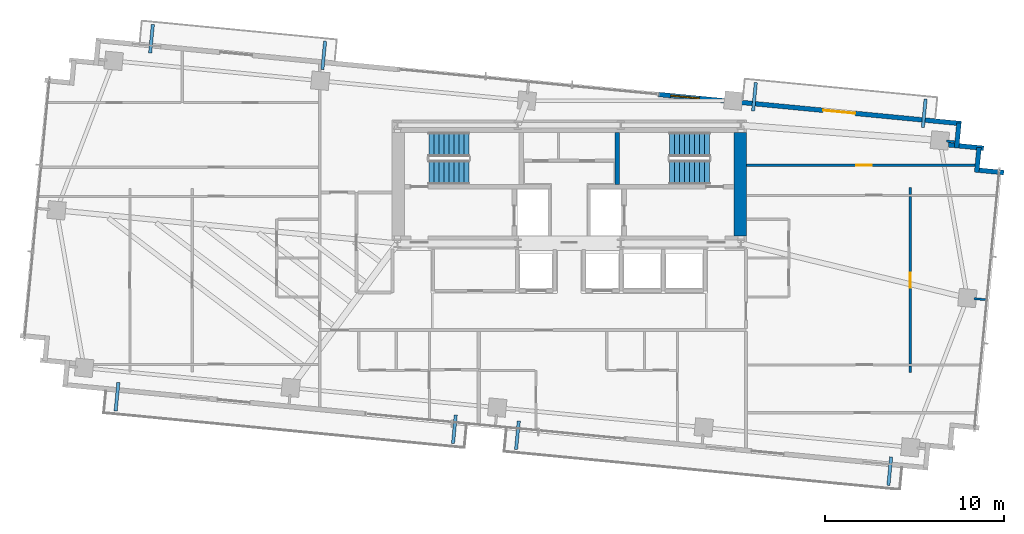
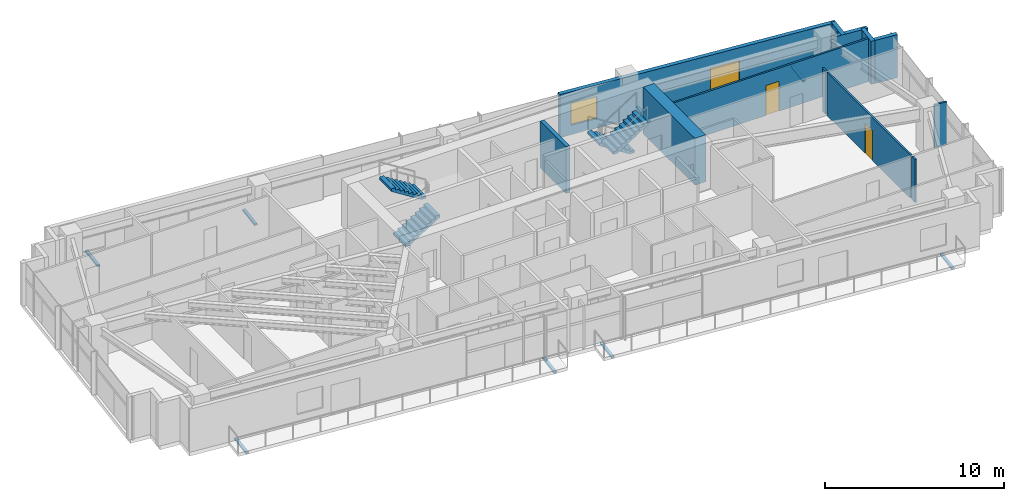
# One storey, part 18 of 20: 13 walls, 8 discrete accessories, 4 stair flights, 3 doors, 1 window, 4 openings, 2 elements without a shape of their own.
"""IFC4 building model written with IfcOpenShell, lengths in metres."""

import ifcopenshell
import ifcopenshell.guid

model = None  # the IFC model being written
_history = None  # IfcOwnerHistory: only IFC2X3 demands one
_inside = {}  # id of a spatial element -> (the spatial element, [elements in it])
_under = {}  # id of a project, library or spatial element -> (it, [spatial elements below it])
_declared = {}  # id of a project -> (the project, [libraries it declares])
_typed = {}  # id of a type object -> (the type object, [elements of that type])
_made_of = {}  # id of a material, layer set ... -> (it, [elements and type objects made of it])


def new_model(schema):
    """Start an empty IFC model of exactly this schema.

    Asked for "IFC4X3", IfcOpenShell would pick the latest addendum, in which some entities
    have other attributes; the version numbers below select the first issue.
    IFC2X3 requires an IfcOwnerHistory on every rooted entity: one is made here for all.
    """
    global model, _history
    if schema == "IFC4X3":
        model = ifcopenshell.file(schema_version=(4, 3, 0, 0))
    else:
        model = ifcopenshell.file(schema=schema)
    _inside.clear()
    _under.clear()
    _declared.clear()
    _typed.clear()
    _made_of.clear()
    _history = None
    if model.schema == "IFC2X3":
        org = make("IfcOrganization", Name="unknown")
        user = make(
            "IfcPersonAndOrganization",
            ThePerson=make("IfcPerson", FamilyName="unknown"),
            TheOrganization=org,
        )
        app = make(
            "IfcApplication",
            ApplicationDeveloper=org,
            Version="unknown",
            ApplicationFullName="unknown",
            ApplicationIdentifier="unknown",
        )
        _history = make(
            "IfcOwnerHistory",
            OwningUser=user,
            OwningApplication=app,
            ChangeAction="ADDED",
            CreationDate=0,
        )
    return model


def make(cls, **values):
    """One entity of the class cls with the attributes given. An attribute that is None is left unset."""
    return model.create_entity(
        cls, **{name: value for name, value in values.items() if value is not None}
    )


def rooted(cls, **values):
    """An entity with a GlobalId (a new one), such as an element, a storey or a relation."""
    return make(cls, GlobalId=ifcopenshell.guid.new(), OwnerHistory=_history, **values)


def si_unit(unit_type, name, prefix=None):
    """IfcSIUnit, for example si_unit("LENGTHUNIT", "METRE", prefix="MILLI")."""
    return make("IfcSIUnit", UnitType=unit_type, Prefix=prefix, Name=name)


def assignment(units):
    """IfcUnitAssignment: the units of a project."""
    return None if units is None else make("IfcUnitAssignment", Units=units)


def point(xyz):
    """IfcCartesianPoint."""
    return None if xyz is None else make("IfcCartesianPoint", Coordinates=xyz)


def direction(xyz):
    """IfcDirection."""
    return None if xyz is None else make("IfcDirection", DirectionRatios=xyz)


def frame(location, z_axis=None, x_axis=None):
    """IfcAxis2Placement3D, a coordinate frame: its origin and axes. An axis left out is left unset."""
    return make(
        "IfcAxis2Placement3D",
        Location=point(location),
        Axis=direction(z_axis),
        RefDirection=direction(x_axis),
    )


def frame_2d(location, x_axis=None):
    """IfcAxis2Placement2D, a coordinate frame in the plane: its origin and x axis."""
    return make(
        "IfcAxis2Placement2D", Location=point(location), RefDirection=direction(x_axis)
    )


def origin():
    """The frame at (0, 0, 0) with its axes left unset."""
    return frame((0.0, 0.0, 0.0))


def origin_2d():
    """The frame at (0, 0) in the plane with its x axis left unset."""
    return frame_2d((0.0, 0.0))


def place(relative_to, where):
    """IfcLocalPlacement: puts the frame where relative to a parent placement (None: the world)."""
    return make(
        "IfcLocalPlacement", PlacementRelTo=relative_to, RelativePlacement=where
    )


def context(
    kind, dimensions, precision=None, world=None, true_north=None, identifier=None
):
    """IfcGeometricRepresentationContext, for example the 3D "Model" context."""
    return make(
        "IfcGeometricRepresentationContext",
        ContextIdentifier=identifier,
        ContextType=kind,
        CoordinateSpaceDimension=dimensions,
        Precision=precision,
        WorldCoordinateSystem=world,
        TrueNorth=true_north,
    )


def subcontext(parent, identifier, kind, view, scale=None):
    """IfcGeometricRepresentationSubContext, for example "Body" below "Model"."""
    return make(
        "IfcGeometricRepresentationSubContext",
        ContextIdentifier=identifier,
        ContextType=kind,
        ParentContext=parent,
        TargetScale=scale,
        TargetView=view,
    )


def project(units=None, contexts=None):
    """IfcProject with its units and contexts."""
    return rooted(
        "IfcProject",
        Name="project",
        RepresentationContexts=contexts,
        UnitsInContext=assignment(units),
    )


def spatial(cls, under=None, at=None, **own):
    """A site, building, storey or space (cls), placed at a placement, below another one or the project."""
    s = rooted(cls, ObjectPlacement=at, **own)
    if under is not None:
        _under.setdefault(under.id(), (under, []))[1].append(s)
    return s


def polyline(points):
    """IfcPolyline through the points."""
    return make("IfcPolyline", Points=[point(p) for p in points])


def profile(cls, at=None, kind="AREA", **sizes):
    """A parametric profile (cls). Its sizes go by their IFC names, for example OverallWidth=200.0."""
    return make(cls, ProfileType=kind, Position=at, **sizes)


def rectangle(**sizes):
    """IfcRectangleProfileDef."""
    return profile("IfcRectangleProfileDef", **sizes)


def outline(outer, holes=None, kind="AREA"):
    """IfcArbitraryClosedProfileDef: a profile drawn as a closed curve; with holes, ...WithVoids."""
    if holes is None:
        return make("IfcArbitraryClosedProfileDef", ProfileType=kind, OuterCurve=outer)
    return make(
        "IfcArbitraryProfileDefWithVoids",
        ProfileType=kind,
        OuterCurve=outer,
        InnerCurves=holes,
    )


def extrude(swept, where, along, depth):
    """IfcExtrudedAreaSolid: the profile swept, set in the frame where, extruded along a direction by depth."""
    return make(
        "IfcExtrudedAreaSolid",
        SweptArea=swept,
        Position=where,
        ExtrudedDirection=direction(along),
        Depth=depth,
    )


def shape(context_of_items, identifier, shape_type, items):
    """IfcShapeRepresentation: the items that make up one representation, for example the "Body"."""
    return make(
        "IfcShapeRepresentation",
        ContextOfItems=context_of_items,
        RepresentationIdentifier=identifier,
        RepresentationType=shape_type,
        Items=items,
    )


def source(mapping_origin, context_of_items, identifier, shape_type, items):
    """IfcRepresentationMap: a shape defined once, which mapped items show again and again."""
    return make(
        "IfcRepresentationMap",
        MappingOrigin=mapping_origin,
        MappedRepresentation=shape(context_of_items, identifier, shape_type, items),
    )


def transform(
    local_origin,
    x_axis=None,
    y_axis=None,
    z_axis=None,
    scale=None,
    scale2=None,
    scale3=None,
    uniform=True,
):
    """IfcCartesianTransformationOperator3D, or its non-uniform kind. x_axis, y_axis, z_axis: its Axis1, 2, 3."""
    if uniform:
        return make(
            "IfcCartesianTransformationOperator3D",
            Axis1=direction(x_axis),
            Axis2=direction(y_axis),
            LocalOrigin=point(local_origin),
            Scale=scale,
            Axis3=direction(z_axis),
        )
    return make(
        "IfcCartesianTransformationOperator3DnonUniform",
        Axis1=direction(x_axis),
        Axis2=direction(y_axis),
        LocalOrigin=point(local_origin),
        Scale=scale,
        Axis3=direction(z_axis),
        Scale2=scale2,
        Scale3=scale3,
    )


def mapped(mapping_source, mapping_target):
    """IfcMappedItem: shows the shape of a source again, moved by a transform."""
    return make(
        "IfcMappedItem", MappingSource=mapping_source, MappingTarget=mapping_target
    )


def material(Name=None, Category=None):
    """IfcMaterial."""
    return make("IfcMaterial", Name=Name, Category=Category)


def layer(
    of_material, thickness, ventilated=None, Name=None, Category=None, Priority=None
):
    """IfcMaterialLayer: one layer of a wall or slab, of a material (None: an air gap)."""
    return make(
        "IfcMaterialLayer",
        Material=of_material,
        LayerThickness=thickness,
        IsVentilated=ventilated,
        Name=Name,
        Category=Category,
        Priority=Priority,
    )


def layer_set(layers, Name=None):
    """IfcMaterialLayerSet."""
    return make("IfcMaterialLayerSet", MaterialLayers=layers, LayerSetName=Name)


def made_of(thing, what):
    """Note that an element or type object is made of a material, layer set ...; save() writes the relation."""
    if what is not None:
        _made_of.setdefault(what.id(), (what, []))[1].append(thing)
    return thing


def type_object(cls, material=None, **own):
    """A type object (cls), such as IfcWallType, which elements share."""
    return made_of(rooted(cls, **own), material)


def type_shapes(of_type, sources):
    """Give a type object the sources (RepresentationMaps) that its elements show as mapped items."""
    of_type.RepresentationMaps = sources


def element(
    cls,
    number,
    at=None,
    inside=None,
    cuts=None,
    type_object=None,
    material=None,
    context=None,
    identifier="Body",
    shape_type=None,
    held_by="IfcProductDefinitionShape",
    body=None,
    shapes=None,
    **own,
):
    """One element of the class cls, such as IfcWall. Its Tag is "e" and its number.

    at: its placement. inside: the storey or other place that contains it. cuts: it is an
    opening in that element (IfcRelVoidsElement). A single representation is given by context,
    identifier, shape_type and body (its items); several are given by shapes. held_by: the class
    of the entity that holds the representations. save() writes the other relations.
    """
    e = rooted(cls, Tag="e%d" % number, ObjectPlacement=at, **own)
    if body is not None:
        shapes = [shape(context, identifier, shape_type, body)]
    if shapes is not None:
        e.Representation = make(held_by, Representations=shapes)
    if inside is not None:
        _inside.setdefault(inside.id(), (inside, []))[1].append(e)
    if cuts is not None:
        rooted(
            "IfcRelVoidsElement", RelatingBuildingElement=cuts, RelatedOpeningElement=e
        )
    if type_object is not None:
        _typed.setdefault(type_object.id(), (type_object, []))[1].append(e)
    return made_of(e, material)


def fill(opening, filler):
    """IfcRelFillsElement: the door or window that sits in an opening."""
    return rooted(
        "IfcRelFillsElement",
        RelatingOpeningElement=opening,
        RelatedBuildingElement=filler,
    )


def aggregate(whole, parts):
    """IfcRelAggregates: a whole, such as a stair, and the parts it consists of."""
    return rooted("IfcRelAggregates", RelatingObject=whole, RelatedObjects=parts)


def save(model, path):
    """Write the relations noted so far, then the file.

    IfcRelAggregates (storeys below a building ...), IfcRelContainedInSpatialStructure (elements
    in a storey), IfcRelDefinesByType, IfcRelAssociatesMaterial and IfcRelDeclares: one each for
    every whole, place, type object, material and project.
    """
    for whole, parts in _under.values():
        aggregate(whole, parts)
    for where, things in _inside.values():
        rooted(
            "IfcRelContainedInSpatialStructure",
            RelatedElements=things,
            RelatingStructure=where,
        )
    for kind, things in _typed.values():
        rooted("IfcRelDefinesByType", RelatedObjects=things, RelatingType=kind)
    for what, things in _made_of.values():
        rooted("IfcRelAssociatesMaterial", RelatedObjects=things, RelatingMaterial=what)
    for by, libraries in _declared.values():
        rooted("IfcRelDeclares", RelatingContext=by, RelatedDefinitions=libraries)
    model.write(path)


model = new_model("IFC4")

# Units and contexts
model_context = context("Model", 3, precision=1e-05, world=origin(), true_north=direction((0.0, 1.0)))
body_context = subcontext(model_context, "Body", "Model", "MODEL_VIEW")
ifc_project = project(units=[si_unit("LENGTHUNIT", "METRE"), si_unit("AREAUNIT", "SQUARE_METRE"), si_unit("VOLUMEUNIT", "CUBIC_METRE"), si_unit("PLANEANGLEUNIT", "RADIAN"), si_unit("MASSUNIT", "GRAM", prefix="KILO")], contexts=[model_context])

# Site, building, storey
site_placement = place(None, origin())
site = spatial("IfcSite", under=ifc_project, at=site_placement, CompositionType="ELEMENT")
building_placement = place(site_placement, origin())
building = spatial("IfcBuilding", under=site, at=building_placement, Name="Astriad Promenade Condominiums", CompositionType="ELEMENT")
storey_placement = place(building_placement, frame((0.0, 0.0, 127.800048828125)))
storey = spatial("IfcBuildingStorey", under=building, at=storey_placement, Name="L36", CompositionType="ELEMENT", Elevation=127.800048828125)

# Walls
ifc_material_1 = material(Name="Concrete C60/75", Category="concrete")
ifc_layer_1 = layer(ifc_material_1, 0.699951171875)
ifc_layer_set_1 = layer_set([ifc_layer_1], Name="Concrete C60/75")
wall_type_1 = type_object("IfcWallType", Name="CW-SHEAR-700", PredefinedType="SHEAR", material=ifc_layer_set_1)
wall_1_placement = place(storey_placement, frame((45.550048828125, 17.802001953125, 0.0), z_axis=(0.0, 0.0, 1.0), x_axis=(0.0, 1.0, 0.0)))
element("IfcWall", 1, at=wall_1_placement, inside=storey, type_object=wall_type_1, Name="CW-CORE-E-L36", PredefinedType="SHEAR", context=body_context, shape_type="SweptSolid", body=[
    extrude(rectangle(XDim=5.7958984375, YDim=0.699951171875, at=frame_2d((2.89794921875, 0.0))), origin(), (0.0, 0.0, 1.0), 3.199951171875),
])
ifc_material_2 = material(Name="Concrete C50/60", Category="concrete")
ifc_layer_2 = layer(ifc_material_2, 0.25)
ifc_layer_set_2 = layer_set([ifc_layer_2], Name="Concrete C50/60")
wall_type_2 = type_object("IfcWallType", Name="WALL-CORE-INT-250", PredefinedType="SOLIDWALL", material=ifc_layer_set_2)
wall_2_placement = place(storey_placement, frame((38.675048828125, 20.701904296875, 0.0), z_axis=(0.0, 0.0, 1.0), x_axis=(0.0, 1.0, 0.0)))
element("IfcWall", 2, at=wall_2_placement, inside=storey, type_object=wall_type_2, Name="CW-ST2-W-L36", PredefinedType="SOLIDWALL", context=body_context, shape_type="SweptSolid", body=[
    extrude(rectangle(XDim=2.89599609375, YDim=0.25, at=frame_2d((1.447998046875, 0.0))), origin(), (0.0, 0.0, 1.0), 3.199951171875),
])

# Wall, openings, door, window
ifc_material_3 = material(Name="Precast concrete C50/60", Category="concrete")
ifc_layer_3 = layer(ifc_material_3, 0.260009765625)
ifc_layer_set_3 = layer_set([ifc_layer_3], Name="Precast concrete C50/60")
wall_type_3 = type_object("IfcWallType", Name="WALL-EXT-TWR-260", PredefinedType="STANDARD", material=ifc_layer_set_3)
wall_3_placement = place(storey_placement, frame((40.9833984375, 25.726806640625, 0.0), z_axis=(0.0, 0.0, 1.0), x_axis=(0.995395844771, -0.095849424686, 0.0)))
wall_3 = element("IfcWall", 3, at=wall_3_placement, inside=storey, type_object=wall_type_3, Name="W-EXT-L36-N2", PredefinedType="STANDARD", context=body_context, shape_type="SweptSolid", body=[
    extrude(rectangle(XDim=17.009765625, YDim=0.260009765625, at=frame_2d((8.5048828125, 0.0))), origin(), (0.0, 0.0, 1.0), 2.93994140625),
])
opening_1_placement = place(wall_3_placement, frame((9.25, 0.0, 0.0)))
opening_1 = element("IfcOpeningElement", 4, at=opening_1_placement, cuts=wall_3, Name="Opening BD-1822-SLD", PredefinedType="OPENING", context=body_context, shape_type="SweptSolid", body=[
    extrude(rectangle(XDim=1.800048828125, YDim=2.06005859375, at=frame_2d((0.89990234375, 1.030029296875))), frame((0.0, 0.139892578125, 0.0), z_axis=(0.0, -1.0, 0.0), x_axis=(1.0, 0.0, 0.0)), (0.0, 0.0, 1.0), 0.280029296875),
])
opening_2_placement = place(wall_3_placement, frame((0.699951171875, 0.0, 0.64990234375)))
opening_2 = element("IfcOpeningElement", 5, at=opening_2_placement, cuts=wall_3, Name="Opening WIN-TWR-1620", PredefinedType="OPENING", context=body_context, shape_type="SweptSolid", body=[
    extrude(rectangle(XDim=1.60009765625, YDim=1.5, at=frame_2d((0.800048828125, 0.75))), frame((0.0, 0.139892578125, 0.0), z_axis=(0.0, -1.0, 0.0), x_axis=(1.0, 0.0, 0.0)), (0.0, 0.0, 1.0), 0.280029296875),
])
ifc_material_4 = material(Name="Thermally Broken Aluminium Sliding Balcony Door", Category="aluminium")
door_type_1 = type_object("IfcDoorType", Name="BD-1822-SLD", OperationType="NOTDEFINED", PredefinedType="DOOR", material=ifc_material_4)
shared_shape_1 = source(origin(), body_context, "Body", "SweptSolid", [
    extrude(rectangle(XDim=1.800048828125, YDim=2.06005859375, at=frame_2d((0.89990234375, 1.030029296875))), frame((0.0, 0.02490234375, 0.0), z_axis=(0.0, -1.0, 0.0), x_axis=(1.0, 0.0, 0.0)), (0.0, 0.0, 1.0), 0.050048828125),
])
type_shapes(door_type_1, [shared_shape_1])
door_1_placement = place(opening_1_placement, origin())
door_1 = element("IfcDoor", 6, at=door_1_placement, inside=storey, type_object=door_type_1, Name="BD-L36-NE", OperationType="SLIDING_TO_RIGHT", OverallHeight=2.06005859375, OverallWidth=1.800048828125, PredefinedType="DOOR", context=body_context, shape_type="MappedRepresentation", body=[
    mapped(shared_shape_1, transform((0.0, 0.0, 0.0), scale=1.0)),
])
fill(opening_1, door_1)
ifc_material_5 = material(Name="Dark Tinted Triple-Glazed Aluminium Window", Category="aluminium")
window_type = type_object("IfcWindowType", Name="WIN-TWR-1620", PartitioningType="SINGLE_PANEL", PredefinedType="WINDOW", material=ifc_material_5)
shared_shape_2 = source(origin(), body_context, "Body", "SweptSolid", [
    extrude(rectangle(XDim=1.60009765625, YDim=1.5, at=frame_2d((0.800048828125, 0.75))), frame((0.0, 0.030029296875, 0.0), z_axis=(0.0, -1.0, 0.0), x_axis=(1.0, 0.0, 0.0)), (0.0, 0.0, 1.0), 0.06005859375),
])
type_shapes(window_type, [shared_shape_2])
window_placement = place(opening_2_placement, origin())
window = element("IfcWindow", 7, at=window_placement, inside=storey, type_object=window_type, Name="WIN-L36-NE", OverallHeight=1.5, OverallWidth=1.60009765625, PartitioningType="SINGLE_PANEL", PredefinedType="WINDOW", context=body_context, shape_type="MappedRepresentation", body=[
    mapped(shared_shape_2, transform((0.0, 0.0, 0.0), scale=1.0)),
])
fill(opening_2, window)

# Walls
wall_4_placement = place(storey_placement, frame((57.787109375, 24.123779296875, 0.0), z_axis=(0.0, 0.0, 1.0), x_axis=(-0.095915846097, -0.995389446633, 0.0)))
element("IfcWall", 8, at=wall_4_placement, inside=storey, type_object=wall_type_3, Name="W-SER-L36-09", PredefinedType="STANDARD", context=body_context, shape_type="SweptSolid", body=[
    extrude(rectangle(XDim=1.394775390625, YDim=0.260009765625, at=frame_2d((0.697265625, 0.0))), origin(), (0.0, 0.0, 1.0), 2.93994140625),
])
wall_5_placement = place(storey_placement, frame((57.199951171875, 22.909423828125, 0.0), z_axis=(0.0, 0.0, 1.0), x_axis=(0.995401789159, -0.095787672171, 0.0)))
element("IfcWall", 9, at=wall_5_placement, inside=storey, type_object=wall_type_3, Name="W-SER-L36-10", PredefinedType="STANDARD", context=body_context, shape_type="SweptSolid", body=[
    extrude(rectangle(XDim=1.977783203125, YDim=0.260009765625, at=frame_2d((0.98876953125, 0.0))), origin(), (0.0, 0.0, 1.0), 2.93994140625),
])
for number, where, z_axis, x_axis, name in (
    (10, (58.91162109375, 22.759765625, 0.0), (0.0, 0.0, 1.0), (-0.096072523012, -0.995374336781, 0.0), "W-SER-L36-11"),
    (11, (58.904541015625, 21.489501953125, 0.0), (0.0, 0.0, 1.0), (0.995391056452, -0.09589913835, 0.0), "W-SER-L36-12"),
):
    element("IfcWall", number, at=place(storey_placement, frame(where, z_axis=z_axis, x_axis=x_axis)), inside=storey, type_object=wall_type_3, Name=name, PredefinedType="STANDARD", context=body_context, shape_type="SweptSolid", body=[
        extrude(rectangle(XDim=1.39501953125, YDim=0.260009765625, at=frame_2d((0.697509765625, 0.0))), origin(), (0.0, 0.0, 1.0), 2.93994140625),
    ])

# Wall, opening, door
ifc_material_6 = material(Name="Acoustic Metal-Stud Gypsum Partition")
ifc_layer_4 = layer(ifc_material_6, 0.1201171875)
ifc_layer_set_4 = layer_set([ifc_layer_4], Name="Acoustic Metal-Stud Gypsum Partition")
wall_type_4 = type_object("IfcWallType", Name="WALL-PART-120", PredefinedType="PARTITIONING", material=ifc_layer_set_4)
wall_6_placement = place(storey_placement, frame((45.902099609375, 21.76806640625, 0.0), z_axis=(0.0, 0.0, 1.0), x_axis=(1.0, 0.0, 0.0)))
wall_6 = element("IfcWall", 12, at=wall_6_placement, inside=storey, type_object=wall_type_4, Name="PT-L36-E1-B1", PredefinedType="PARTITIONING", context=body_context, shape_type="SweptSolid", body=[
    extrude(rectangle(XDim=12.78125, YDim=0.1201171875, at=frame_2d((6.390625, 0.0))), origin(), (0.0, 0.0, 1.0), 2.93994140625),
])
opening_3_placement = place(wall_6_placement, frame((6.14599609375, 0.0, 0.0)))
opening_3 = element("IfcOpeningElement", 13, at=opening_3_placement, cuts=wall_6, Name="Opening D-INT-085", PredefinedType="OPENING", context=body_context, shape_type="SweptSolid", body=[
    extrude(rectangle(XDim=0.85009765625, YDim=2.050048828125, at=frame_2d((0.425048828125, 1.02490234375))), frame((0.0, 0.070068359375, 0.0), z_axis=(0.0, -1.0, 0.0), x_axis=(1.0, 0.0, 0.0)), (0.0, 0.0, 1.0), 0.14013671875),
])
ifc_material_7 = material(Name="Painted Solid-Core Timber Room Door", Category="wood")
door_type_2 = type_object("IfcDoorType", Name="D-INT-085", OperationType="NOTDEFINED", PredefinedType="DOOR", material=ifc_material_7)
shared_shape_3 = source(origin(), body_context, "Body", "SweptSolid", [
    extrude(rectangle(XDim=0.85009765625, YDim=2.050048828125, at=frame_2d((0.425048828125, 1.02490234375))), frame((0.0, 0.02490234375, 0.0), z_axis=(0.0, -1.0, 0.0), x_axis=(1.0, 0.0, 0.0)), (0.0, 0.0, 1.0), 0.050048828125),
])
type_shapes(door_type_2, [shared_shape_3])
door_2_placement = place(opening_3_placement, origin())
door_2 = element("IfcDoor", 14, at=door_2_placement, inside=storey, type_object=door_type_2, Name="D-BD1-L36-E1", OperationType="SINGLE_SWING_RIGHT", OverallHeight=2.050048828125, OverallWidth=0.85009765625, PredefinedType="DOOR", context=body_context, shape_type="MappedRepresentation", body=[
    mapped(shared_shape_3, transform((0.0, 0.0, 0.0), scale=1.0)),
])
fill(opening_3, door_2)

# Wall
wall_7_placement = place(storey_placement, frame((55.06201171875, 10.1689453125, 0.0), z_axis=(0.0, 0.0, 1.0), x_axis=(0.0, 1.0, 0.0)))
element("IfcWall", 15, at=wall_7_placement, inside=storey, type_object=wall_type_4, Name="PT-L36-E1-WDV3", PredefinedType="PARTITIONING", context=body_context, shape_type="SweptSolid", body=[
    extrude(rectangle(XDim=0.378173828125, YDim=0.1201171875, at=frame_2d((0.18896484375, 0.0))), origin(), (0.0, 0.0, 1.0), 2.93994140625),
])

# Wall, opening, door
wall_8_placement = place(storey_placement, frame((55.06201171875, 10.6708984375, 0.0), z_axis=(0.0, 0.0, 1.0), x_axis=(0.0, 1.0, 0.0)))
wall_8 = element("IfcWall", 16, at=wall_8_placement, inside=storey, type_object=wall_type_4, Name="PT-L36-E1-WDV3-S2", PredefinedType="PARTITIONING", context=body_context, shape_type="SweptSolid", body=[
    extrude(rectangle(XDim=9.34814453125, YDim=0.1201171875, at=frame_2d((4.674072265625, 0.0))), origin(), (0.0, 0.0, 1.0), 2.93994140625),
])
opening_4_placement = place(wall_8_placement, frame((4.2490234375, 0.0, 0.0)))
opening_4 = element("IfcOpeningElement", 17, at=opening_4_placement, cuts=wall_8, Name="Opening D-INT-085", PredefinedType="OPENING", context=body_context, shape_type="SweptSolid", body=[
    extrude(rectangle(XDim=0.85009765625, YDim=2.050048828125, at=frame_2d((0.425048828125, 1.02490234375))), frame((0.0, 0.070068359375, 0.0), z_axis=(0.0, -1.0, 0.0), x_axis=(1.0, 0.0, 0.0)), (0.0, 0.0, 1.0), 0.14013671875),
])
door_3_placement = place(opening_4_placement, origin())
door_3 = element("IfcDoor", 18, at=door_3_placement, inside=storey, type_object=door_type_2, Name="D-WDV3-L36-E1", OperationType="SINGLE_SWING_RIGHT", OverallHeight=2.050048828125, OverallWidth=0.85009765625, PredefinedType="DOOR", context=body_context, shape_type="MappedRepresentation", body=[
    mapped(shared_shape_3, transform((0.0, 0.0, 0.0), scale=1.0)),
])
fill(opening_4, door_3)

# Walls
wall_9_placement = place(storey_placement, frame((55.06201171875, 20.14306640625, 0.0), z_axis=(0.0, 0.0, 1.0), x_axis=(0.0, 1.0, 0.0)))
element("IfcWall", 19, at=wall_9_placement, inside=storey, type_object=wall_type_4, Name="PT-L36-E1-WDV3-S3", PredefinedType="PARTITIONING", context=body_context, shape_type="SweptSolid", body=[
    extrude(rectangle(XDim=0.3779296875, YDim=0.1201171875, at=frame_2d((0.18896484375, 0.0))), origin(), (0.0, 0.0, 1.0), 2.93994140625),
])
wall_10_placement = place(storey_placement, frame((57.09765625, 23.120361328125, 0.0), z_axis=(0.0, 0.0, 1.0), x_axis=(0.995384576284, -0.09596637586, 0.0)))
element("IfcWall", 20, at=wall_10_placement, inside=storey, type_object=wall_type_4, Name="PT-PIL-L36-PC10-17", PredefinedType="PARTITIONING", context=body_context, shape_type="SweptSolid", body=[
    extrude(rectangle(XDim=0.4580078125, YDim=0.1201171875, at=frame_2d((0.22900390625, 0.0))), origin(), (0.0, 0.0, 1.0), 2.93994140625),
])
wall_11_placement = place(storey_placement, frame((58.640380859375, 14.31201171875, 0.0), z_axis=(0.0, 0.0, 1.0), x_axis=(0.995377786728, -0.096036772582, 0.0)))
element("IfcWall", 21, at=wall_11_placement, inside=storey, type_object=wall_type_4, Name="PT-PIL-L36-PC12-19", PredefinedType="PARTITIONING", context=body_context, shape_type="SweptSolid", body=[
    extrude(rectangle(XDim=0.760009765625, YDim=0.1201171875, at=frame_2d((0.3798828125, 0.0))), origin(), (0.0, 0.0, 1.0), 2.93994140625),
])

# Stair, stair flights
stair_type = type_object("IfcStairType", Name="STR-CORE-1350", PredefinedType="HALF_TURN_STAIR", material=ifc_material_2)
stair_1_placement = place(storey_placement, origin())
stair_1 = element("IfcStair", 22, at=stair_1_placement, inside=storey, type_object=stair_type, Name="L36 Enclosed Core Exit Stair ST-1", PredefinedType="HALF_TURN_STAIR")
stair_flight_type = type_object("IfcStairFlightType", Name="SFL-CORE-1350", PredefinedType="STRAIGHT", material=ifc_material_2)
shared_shape_4 = source(origin(), body_context, "Body", "SweptSolid", [
    extrude(outline(polyline([(0.0, 0.0), (0.0, 0.177734375), (0.280029296875, 0.177734375), (0.280029296875, 0.35546875), (0.56005859375, 0.35546875), (0.56005859375, 0.533447265625), (0.840087890625, 0.533447265625), (0.840087890625, 0.711181640625), (1.1201171875, 0.711181640625), (1.1201171875, 0.888916015625), (1.39990234375, 0.888916015625), (1.39990234375, 1.066650390625), (1.679931640625, 1.066650390625), (1.679931640625, 1.244384765625), (1.9599609375, 1.244384765625), (1.9599609375, 1.422119140625), (2.239990234375, 1.422119140625), (2.239990234375, 1.60009765625), (2.239990234375, 1.24462890625), (0.27978515625, 0.0), (0.0, 0.0)])), frame((0.0, 0.675048828125, 0.0), z_axis=(0.0, -1.0, 0.0), x_axis=(1.0, 0.0, 0.0)), (0.0, 0.0, 1.0), 1.35009765625),
])
type_shapes(stair_flight_type, [shared_shape_4])
stair_flight_1_placement = place(storey_placement, frame((28.14990234375, 21.375, 0.0), z_axis=(0.0, 0.0, 1.0), x_axis=(1.0, 0.0, 0.0)))
stair_flight_1 = element("IfcStairFlight", 23, at=stair_flight_1_placement, type_object=stair_flight_type, Name="ST-1 flight 1", NumberOfRisers=9, NumberOfTreads=8, PredefinedType="STRAIGHT", RiserHeight=0.177777778, TreadLength=0.28, context=body_context, shape_type="MappedRepresentation", body=[
    mapped(shared_shape_4, transform((0.0, 0.0, 0.0), scale=1.0)),
])
stair_flight_2_placement = place(storey_placement, frame((30.389892578125, 22.925048828125, 1.599853515625), z_axis=(0.0, 0.0, 1.0), x_axis=(-1.0, 0.0, 0.0)))
stair_flight_2 = element("IfcStairFlight", 24, at=stair_flight_2_placement, type_object=stair_flight_type, Name="ST-1 flight 2", NumberOfRisers=9, NumberOfTreads=8, PredefinedType="STRAIGHT", RiserHeight=0.177777778, TreadLength=0.28, context=body_context, shape_type="MappedRepresentation", body=[
    mapped(shared_shape_4, transform((0.0, 0.0, 0.0), scale=1.0)),
])
aggregate(stair_1, [stair_flight_1, stair_flight_2])

stair_2_placement = place(storey_placement, origin())
stair_2 = element("IfcStair", 25, at=stair_2_placement, inside=storey, type_object=stair_type, Name="L36 Enclosed Core Exit Stair ST-2", PredefinedType="HALF_TURN_STAIR")
stair_flight_3_placement = place(storey_placement, frame((43.85009765625, 22.925048828125, 0.0), z_axis=(0.0, 0.0, 1.0), x_axis=(-1.0, 0.0, 0.0)))
stair_flight_3 = element("IfcStairFlight", 26, at=stair_flight_3_placement, type_object=stair_flight_type, Name="ST-2 flight 1", NumberOfRisers=9, NumberOfTreads=8, PredefinedType="STRAIGHT", RiserHeight=0.177777778, TreadLength=0.28, context=body_context, shape_type="MappedRepresentation", body=[
    mapped(shared_shape_4, transform((0.0, 0.0, 0.0), scale=1.0)),
])
stair_flight_4_placement = place(storey_placement, frame((41.610107421875, 21.375, 1.599853515625), z_axis=(0.0, 0.0, 1.0), x_axis=(1.0, 0.0, 0.0)))
stair_flight_4 = element("IfcStairFlight", 27, at=stair_flight_4_placement, type_object=stair_flight_type, Name="ST-2 flight 2", NumberOfRisers=9, NumberOfTreads=8, PredefinedType="STRAIGHT", RiserHeight=0.177777778, TreadLength=0.28, context=body_context, shape_type="MappedRepresentation", body=[
    mapped(shared_shape_4, transform((0.0, 0.0, 0.0), scale=1.0)),
])
aggregate(stair_2, [stair_flight_3, stair_flight_4])

# Discrete accessories
ifc_material_8 = material(Name="Steel ASTM A572 Grade 50", Category="steel")
discrete_accessory_type = type_object("IfcDiscreteAccessoryType", Name="STEEL BALCONY OUTRIGGER BRACKET", PredefinedType="BRACKET", material=ifc_material_8)
shared_shape_5 = source(origin(), body_context, "Body", "SweptSolid", [
    extrude(rectangle(XDim=1.60009765625, YDim=0.179931640625, at=origin_2d()), origin(), (0.0, 0.0, 1.0), 0.1220703125),
])
type_shapes(discrete_accessory_type, [shared_shape_5])
for number, where, z_axis, x_axis, name in (
    (28, (10.718505859375, 8.82958984375, -0.340087890625), (0.0, 0.0, 1.0), (-0.09584575252, -0.995396198367, 0.0), "Balcony Outrigger Bracket BAL-L36-SW-A"),
    (29, (29.5791015625, 7.013671875, -0.340087890625), (0.0, 0.0, 1.0), (-0.09584575252, -0.995396198367, 0.0), "Balcony Outrigger Bracket BAL-L36-SW-B"),
    (30, (33.10400390625, 6.67431640625, -0.340087890625), (0.0, 0.0, 1.0), (-0.09584575252, -0.995396198367, 0.0), "Balcony Outrigger Bracket BAL-L36-SE-A"),
    (31, (53.920654296875, 4.669921875, -0.340087890625), (0.0, 0.0, 1.0), (-0.09584575252, -0.995396198367, 0.0), "Balcony Outrigger Bracket BAL-L36-SE-B"),
    (32, (12.64501953125, 28.837158203125, -0.340087890625), (0.0, 0.0, 1.0), (0.09584575252, 0.995396198367, 0.0), "Balcony Outrigger Bracket BAL-L36-NW-A"),
    (33, (22.2763671875, 27.909912109375, -0.340087890625), (0.0, 0.0, 1.0), (0.09584575252, 0.995396198367, 0.0), "Balcony Outrigger Bracket BAL-L36-NW-B"),
    (34, (46.35498046875, 25.59130859375, -0.340087890625), (0.0, 0.0, 1.0), (0.09584575252, 0.995396198367, 0.0), "Balcony Outrigger Bracket BAL-L36-NE-A"),
    (35, (55.84716796875, 24.67724609375, -0.340087890625), (0.0, 0.0, 1.0), (0.09584575252, 0.995396198367, 0.0), "Balcony Outrigger Bracket BAL-L36-NE-B"),
):
    element("IfcDiscreteAccessory", number, at=place(storey_placement, frame(where, z_axis=z_axis, x_axis=x_axis)), inside=storey, type_object=discrete_accessory_type, Name=name, PredefinedType="BRACKET", context=body_context, shape_type="MappedRepresentation", body=[
        mapped(shared_shape_5, transform((0.0, 0.0, 0.0), scale=1.0)),
    ])

save(model, "model.ifc")
